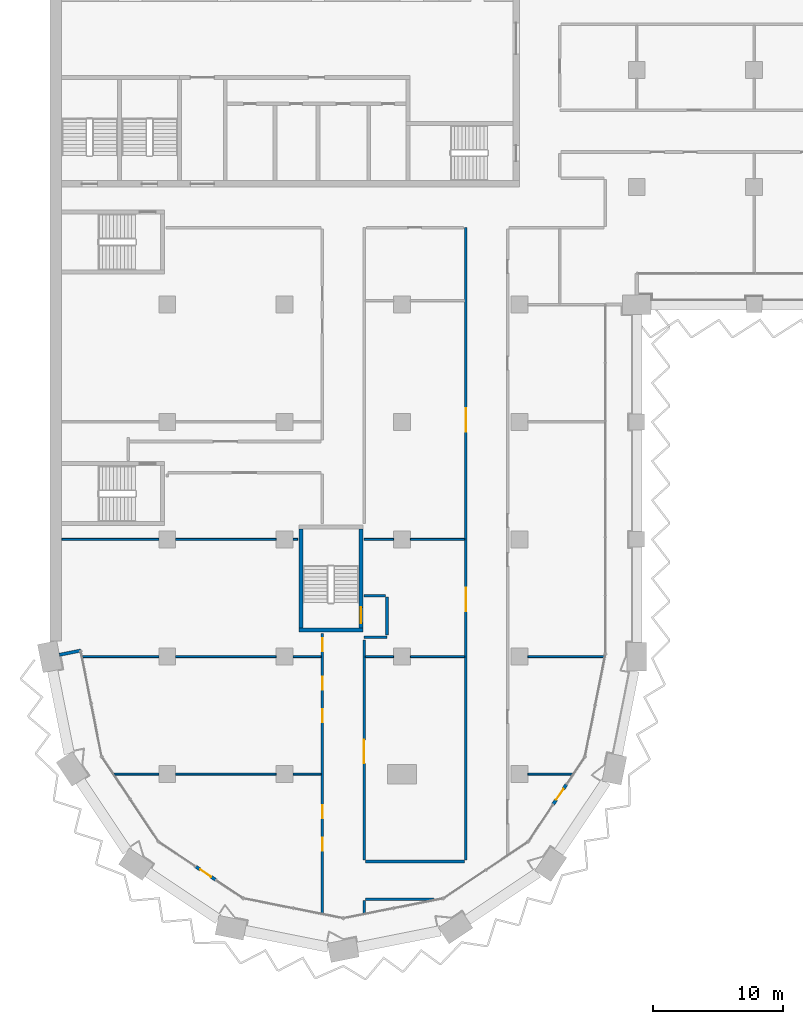
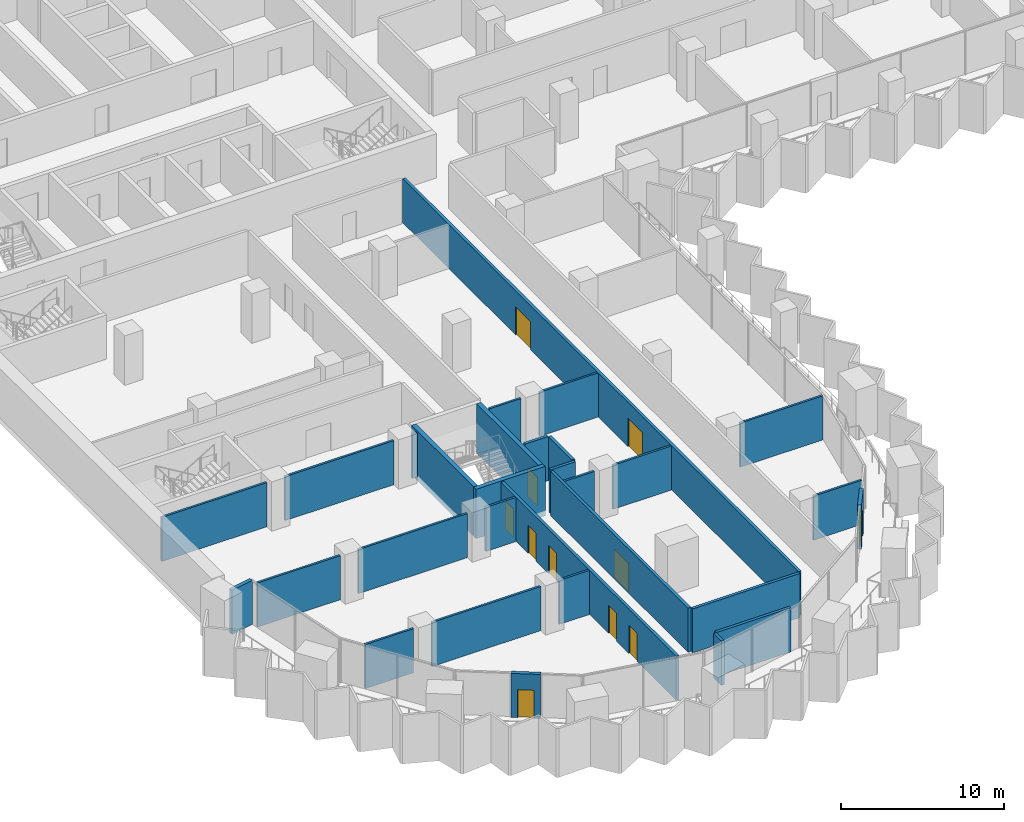
# One storey, part 9 of 23: 30 walls, 11 doors, 11 openings.
"""IFC4 building model written with IfcOpenShell, lengths in metres."""

from ifc_helpers import new_model, si_unit, direction, frame, frame_2d, origin, place, context, subcontext, project, spatial, rectangle, extrude, material, layer, layer_set, type_object, element, fill, save


model = new_model("IFC4")

# Units and contexts
model_context = context("Model", 3, precision=1e-05, world=origin(), true_north=direction((0.0, 1.0)))
body_context = subcontext(model_context, "Body", "Model", "MODEL_VIEW")
ifc_project = project(units=[si_unit("LENGTHUNIT", "METRE"), si_unit("AREAUNIT", "SQUARE_METRE"), si_unit("VOLUMEUNIT", "CUBIC_METRE"), si_unit("PLANEANGLEUNIT", "RADIAN"), si_unit("MASSUNIT", "GRAM", prefix="KILO")], contexts=[model_context])

# Site, building, storey
site_placement = place(None, origin())
site = spatial("IfcSite", under=ifc_project, at=site_placement, CompositionType="ELEMENT")
building_placement = place(site_placement, origin())
building = spatial("IfcBuilding", under=site, at=building_placement, Name="Hunhe Ridgeline Campus", CompositionType="ELEMENT")
storey_placement = place(building_placement, frame((0.0, 0.0, 95.89990234375)))
storey = spatial("IfcBuildingStorey", under=building, at=storey_placement, Name="L23", CompositionType="ELEMENT", Elevation=95.89990234375)

# Walls
ifc_material_1 = material(Name="Concrete C30", Category="concrete")
ifc_layer_1 = layer(ifc_material_1, 0.25)
ifc_layer_set_1 = layer_set([ifc_layer_1], Name="Corner return wall 250 Concrete C30")
wall_type_1 = type_object("IfcWallType", Name="Corner return wall 250 Concrete C30", PredefinedType="SOLIDWALL", material=ifc_layer_set_1)
wall_1_placement = place(storey_placement, frame((0.7353515625, 27.14697265625, 0.0), z_axis=(0.0, 0.0, 1.0), x_axis=(0.980824468215, 0.194893208067, 0.0)))
element("IfcWall", 1, at=wall_1_placement, inside=storey, type_object=wall_type_1, Name="Corner return wall 1", PredefinedType="SOLIDWALL", context=body_context, shape_type="SweptSolid", body=[
    extrude(rectangle(XDim=1.651123046875, YDim=0.25, at=frame_2d((0.82568359375, 0.0))), origin(), (0.0, 0.0, 1.0), 3.300048828125),
])
ifc_material_2 = material(Name="Gypsum board partition")
ifc_layer_2 = layer(ifc_material_2, 0.199951171875)
ifc_layer_set_2 = layer_set([ifc_layer_2], Name="Corridor partition 200 gypsum board on steel studs")
wall_type_2 = type_object("IfcWallType", Name="Corridor partition 200 gypsum board on steel studs", PredefinedType="PARTITIONING", material=ifc_layer_set_2)
wall_2_placement = place(storey_placement, frame((29.472412109375, 8.389892578125, 0.0), z_axis=(0.0, 0.0, 1.0), x_axis=(-1.0, 0.0, 0.0)))
element("IfcWall", 2, at=wall_2_placement, inside=storey, type_object=wall_type_2, Name="F-L23-wall-001", PredefinedType="PARTITIONING", context=body_context, shape_type="SweptSolid", body=[
    extrude(rectangle(XDim=5.2724609375, YDim=0.199951171875, at=frame_2d((2.63623046875, 0.0))), origin(), (0.0, 0.0, 1.0), 3.300048828125),
])
wall_3_placement = place(storey_placement, frame((24.199951171875, 11.299072265625, 0.0), z_axis=(0.0, 0.0, 1.0), x_axis=(1.0, 0.0, 0.0)))
element("IfcWall", 3, at=wall_3_placement, inside=storey, type_object=wall_type_2, Name="F-L23-wall-002", PredefinedType="PARTITIONING", context=body_context, shape_type="SweptSolid", body=[
    extrude(rectangle(XDim=7.60009765625, YDim=0.199951171875, at=frame_2d((3.800048828125, 0.0))), origin(), (0.0, 0.0, 1.0), 3.300048828125),
])
wall_4_placement = place(storey_placement, frame((25.85009765625, 28.5, 0.0), z_axis=(0.0, 0.0, 1.0), x_axis=(-1.0, 0.0, 0.0)))
element("IfcWall", 4, at=wall_4_placement, inside=storey, type_object=wall_type_2, Name="F-L23-wall-013", PredefinedType="PARTITIONING", context=body_context, shape_type="SweptSolid", body=[
    extrude(rectangle(XDim=1.75, YDim=0.199951171875, at=frame_2d((0.875, 0.0))), origin(), (0.0, 0.0, 1.0), 3.300048828125),
])
wall_5_placement = place(storey_placement, frame((24.10400390625, 31.675048828125, 0.0), z_axis=(0.0, 0.0, 1.0), x_axis=(1.0, 0.0, 0.0)))
element("IfcWall", 5, at=wall_5_placement, inside=storey, type_object=wall_type_2, Name="F-L23-wall-014", PredefinedType="PARTITIONING", context=body_context, shape_type="SweptSolid", body=[
    extrude(rectangle(XDim=1.64599609375, YDim=0.199951171875, at=frame_2d((0.822998046875, 0.0))), origin(), (0.0, 0.0, 1.0), 3.300048828125),
])

# Wall, openings, doors
wall_6_placement = place(storey_placement, frame((20.89990234375, 7.3212890625, 0.0), z_axis=(0.0, 0.0, 1.0), x_axis=(0.0, 1.0, 0.0)))
wall_6 = element("IfcWall", 6, at=wall_6_placement, inside=storey, type_object=wall_type_2, Name="F-L23-wall-042", PredefinedType="PARTITIONING", context=body_context, shape_type="SweptSolid", body=[
    extrude(rectangle(XDim=21.474609375, YDim=0.199951171875, at=frame_2d((10.7373046875, 0.0))), origin(), (0.0, 0.0, 1.0), 3.300048828125),
])
opening_1_placement = place(wall_6_placement, frame((4.805419921875, 0.0, 0.0)))
opening_1 = element("IfcOpeningElement", 7, at=opening_1_placement, cuts=wall_6, Name="Opening RD1-001", PredefinedType="OPENING", context=body_context, shape_type="SweptSolid", body=[
    extrude(rectangle(XDim=1.0, YDim=2.10009765625, at=frame_2d((0.5, 1.050048828125))), frame((0.0, 0.10009765625, 0.0), z_axis=(0.0, -1.0, 0.0), x_axis=(1.0, 0.0, 0.0)), (0.0, 0.0, 1.0), 0.199951171875),
])
opening_2_placement = place(wall_6_placement, frame((7.305419921875, 0.0, 0.0)))
opening_2 = element("IfcOpeningElement", 8, at=opening_2_placement, cuts=wall_6, Name="Opening RD1-002", PredefinedType="OPENING", context=body_context, shape_type="SweptSolid", body=[
    extrude(rectangle(XDim=1.0, YDim=2.10009765625, at=frame_2d((0.5, 1.050048828125))), frame((0.0, 0.10009765625, 0.0), z_axis=(0.0, -1.0, 0.0), x_axis=(1.0, 0.0, 0.0)), (0.0, 0.0, 1.0), 0.199951171875),
])
opening_3_placement = place(wall_6_placement, frame((14.65869140625, 0.0, 0.0)))
opening_3 = element("IfcOpeningElement", 9, at=opening_3_placement, cuts=wall_6, Name="Opening RD1-006", PredefinedType="OPENING", context=body_context, shape_type="SweptSolid", body=[
    extrude(rectangle(XDim=1.0, YDim=2.10009765625, at=frame_2d((0.5, 1.050048828125))), frame((0.0, 0.10009765625, 0.0), z_axis=(0.0, -1.0, 0.0), x_axis=(1.0, 0.0, 0.0)), (0.0, 0.0, 1.0), 0.199951171875),
])
opening_4_placement = place(wall_6_placement, frame((17.15869140625, 0.0, 0.0)))
opening_4 = element("IfcOpeningElement", 10, at=opening_4_placement, cuts=wall_6, Name="Opening RD1-007", PredefinedType="OPENING", context=body_context, shape_type="SweptSolid", body=[
    extrude(rectangle(XDim=1.0, YDim=2.10009765625, at=frame_2d((0.5, 1.050048828125))), frame((0.0, 0.10009765625, 0.0), z_axis=(0.0, -1.0, 0.0), x_axis=(1.0, 0.0, 0.0)), (0.0, 0.0, 1.0), 0.199951171875),
])
opening_5_placement = place(wall_6_placement, frame((20.09033203125, 0.0, 0.0)))
opening_5 = element("IfcOpeningElement", 11, at=opening_5_placement, cuts=wall_6, Name="Opening RD1-008", PredefinedType="OPENING", context=body_context, shape_type="SweptSolid", body=[
    extrude(rectangle(XDim=1.0, YDim=2.10009765625, at=frame_2d((0.5, 1.050048828125))), frame((0.0, 0.10009765625, 0.0), z_axis=(0.0, -1.0, 0.0), x_axis=(1.0, 0.0, 0.0)), (0.0, 0.0, 1.0), 0.199951171875),
])
ifc_material_3 = material(Name="Timber door leaf", Category="wood")
door_type_1 = type_object("IfcDoorType", Name="Single fire door 1000x2100 timber FD60", OperationType="NOTDEFINED", PredefinedType="DOOR", material=ifc_material_3)
door_1_placement = place(opening_1_placement, frame((1.0, 0.0, 0.0), z_axis=(0.0, 0.0, 1.0), x_axis=(-1.0, 0.0, 0.0)))
door_1 = element("IfcDoor", 12, at=door_1_placement, inside=storey, type_object=door_type_1, Name="F-L23-door-001", OperationType="SINGLE_SWING_LEFT", OverallHeight=2.10009765625, OverallWidth=1.0, PredefinedType="DOOR", context=body_context, shape_type="SweptSolid", body=[
    extrude(rectangle(XDim=1.0, YDim=2.10009765625, at=frame_2d((0.5, 1.050048828125))), frame((0.0, 0.02490234375, 0.0), z_axis=(0.0, -1.0, 0.0), x_axis=(1.0, 0.0, 0.0)), (0.0, 0.0, 1.0), 0.050048828125),
])
fill(opening_1, door_1)
door_2_placement = place(opening_2_placement, frame((1.0, 0.0, 0.0), z_axis=(0.0, 0.0, 1.0), x_axis=(-1.0, 0.0, 0.0)))
door_2 = element("IfcDoor", 13, at=door_2_placement, inside=storey, type_object=door_type_1, Name="F-L23-door-002", OperationType="SINGLE_SWING_LEFT", OverallHeight=2.10009765625, OverallWidth=1.0, PredefinedType="DOOR", context=body_context, shape_type="SweptSolid", body=[
    extrude(rectangle(XDim=1.0, YDim=2.10009765625, at=frame_2d((0.5, 1.050048828125))), frame((0.0, 0.02490234375, 0.0), z_axis=(0.0, -1.0, 0.0), x_axis=(1.0, 0.0, 0.0)), (0.0, 0.0, 1.0), 0.050048828125),
])
fill(opening_2, door_2)
door_3_placement = place(opening_3_placement, frame((1.0, 0.0, 0.0), z_axis=(0.0, 0.0, 1.0), x_axis=(-1.0, 0.0, 0.0)))
door_3 = element("IfcDoor", 14, at=door_3_placement, inside=storey, type_object=door_type_1, Name="F-L23-door-006", OperationType="SINGLE_SWING_LEFT", OverallHeight=2.10009765625, OverallWidth=1.0, PredefinedType="DOOR", context=body_context, shape_type="SweptSolid", body=[
    extrude(rectangle(XDim=1.0, YDim=2.10009765625, at=frame_2d((0.5, 1.050048828125))), frame((0.0, 0.02490234375, 0.0), z_axis=(0.0, -1.0, 0.0), x_axis=(1.0, 0.0, 0.0)), (0.0, 0.0, 1.0), 0.050048828125),
])
fill(opening_3, door_3)
door_4_placement = place(opening_4_placement, frame((1.0, 0.0, 0.0), z_axis=(0.0, 0.0, 1.0), x_axis=(-1.0, 0.0, 0.0)))
door_4 = element("IfcDoor", 15, at=door_4_placement, inside=storey, type_object=door_type_1, Name="F-L23-door-007", OperationType="SINGLE_SWING_LEFT", OverallHeight=2.10009765625, OverallWidth=1.0, PredefinedType="DOOR", context=body_context, shape_type="SweptSolid", body=[
    extrude(rectangle(XDim=1.0, YDim=2.10009765625, at=frame_2d((0.5, 1.050048828125))), frame((0.0, 0.02490234375, 0.0), z_axis=(0.0, -1.0, 0.0), x_axis=(1.0, 0.0, 0.0)), (0.0, 0.0, 1.0), 0.050048828125),
])
fill(opening_4, door_4)
door_5_placement = place(opening_5_placement, frame((1.0, 0.0, 0.0), z_axis=(0.0, 0.0, 1.0), x_axis=(-1.0, 0.0, 0.0)))
door_5 = element("IfcDoor", 16, at=door_5_placement, inside=storey, type_object=door_type_1, Name="F-L23-door-008", OperationType="SINGLE_SWING_LEFT", OverallHeight=2.10009765625, OverallWidth=1.0, PredefinedType="DOOR", context=body_context, shape_type="SweptSolid", body=[
    extrude(rectangle(XDim=1.0, YDim=2.10009765625, at=frame_2d((0.5, 1.050048828125))), frame((0.0, 0.02490234375, 0.0), z_axis=(0.0, -1.0, 0.0), x_axis=(1.0, 0.0, 0.0)), (0.0, 0.0, 1.0), 0.050048828125),
])
fill(opening_5, door_5)

# Wall
wall_7_placement = place(storey_placement, frame((24.10009765625, 8.2900390625, 0.0), z_axis=(0.0, 0.0, 1.0), x_axis=(0.0, -1.0, 0.0)))
element("IfcWall", 17, at=wall_7_placement, inside=storey, type_object=wall_type_2, Name="F-L23-wall-045", PredefinedType="PARTITIONING", context=body_context, shape_type="SweptSolid", body=[
    extrude(rectangle(XDim=0.96875, YDim=0.199951171875, at=frame_2d((0.484375, 0.0))), origin(), (0.0, 0.0, 1.0), 3.300048828125),
])

# Wall, opening, door
wall_8_placement = place(storey_placement, frame((24.10009765625, 28.296630859375, 0.0), z_axis=(0.0, 0.0, 1.0), x_axis=(0.0, -1.0, 0.0)))
wall_8 = element("IfcWall", 18, at=wall_8_placement, inside=storey, type_object=wall_type_2, Name="F-L23-wall-046", PredefinedType="PARTITIONING", context=body_context, shape_type="SweptSolid", body=[
    extrude(rectangle(XDim=16.897705078125, YDim=0.199951171875, at=frame_2d((8.44873046875, 0.0))), origin(), (0.0, 0.0, 1.0), 3.300048828125),
])
opening_6_placement = place(wall_8_placement, frame((7.67919921875, 0.0, 0.0)))
opening_6 = element("IfcOpeningElement", 19, at=opening_6_placement, cuts=wall_8, Name="Opening RD2-004", PredefinedType="OPENING", context=body_context, shape_type="SweptSolid", body=[
    extrude(rectangle(XDim=1.800048828125, YDim=2.10009765625, at=frame_2d((0.89990234375, 1.050048828125))), frame((0.0, 0.10009765625, 0.0), z_axis=(0.0, -1.0, 0.0), x_axis=(1.0, 0.0, 0.0)), (0.0, 0.0, 1.0), 0.199951171875),
])
door_type_2 = type_object("IfcDoorType", Name="Double fire door 1800x2100 timber FD60", OperationType="DOUBLE_DOOR_SINGLE_SWING", PredefinedType="DOOR", material=ifc_material_3)
door_6_placement = place(opening_6_placement, origin())
door_6 = element("IfcDoor", 20, at=door_6_placement, inside=storey, type_object=door_type_2, Name="F-L23-door-004", OperationType="DOUBLE_DOOR_SINGLE_SWING", OverallHeight=2.10009765625, OverallWidth=1.800048828125, PredefinedType="DOOR", context=body_context, shape_type="SweptSolid", body=[
    extrude(rectangle(XDim=1.800048828125, YDim=2.10009765625, at=frame_2d((0.89990234375, 1.050048828125))), frame((0.0, 0.02490234375, 0.0), z_axis=(0.0, -1.0, 0.0), x_axis=(1.0, 0.0, 0.0)), (0.0, 0.0, 1.0), 0.050048828125),
])
fill(opening_6, door_6)

# Wall
wall_9_placement = place(storey_placement, frame((25.85009765625, 31.574951171875, 0.0), z_axis=(0.0, 0.0, 1.0), x_axis=(0.0, -1.0, 0.0)))
element("IfcWall", 21, at=wall_9_placement, inside=storey, type_object=wall_type_2, Name="F-L23-wall-048", PredefinedType="PARTITIONING", context=body_context, shape_type="SweptSolid", body=[
    extrude(rectangle(XDim=2.89990234375, YDim=0.199951171875, at=frame_2d((1.449951171875, 0.0))), origin(), (0.0, 0.0, 1.0), 3.300048828125),
])

# Wall, openings, doors
wall_10_placement = place(storey_placement, frame((31.89990234375, 11.39892578125, 0.0), z_axis=(0.0, 0.0, 1.0), x_axis=(0.0, 1.0, 0.0)))
wall_10 = element("IfcWall", 22, at=wall_10_placement, inside=storey, type_object=wall_type_2, Name="F-L23-wall-049", PredefinedType="PARTITIONING", context=body_context, shape_type="SweptSolid", body=[
    extrude(rectangle(XDim=48.5009765625, YDim=0.199951171875, at=frame_2d((24.25048828125, 0.0))), origin(), (0.0, 0.0, 1.0), 3.300048828125),
])
opening_7_placement = place(wall_10_placement, frame((19.100341796875, 0.0, 0.0)))
opening_7 = element("IfcOpeningElement", 23, at=opening_7_placement, cuts=wall_10, Name="Opening RD2-009", PredefinedType="OPENING", context=body_context, shape_type="SweptSolid", body=[
    extrude(rectangle(XDim=1.800048828125, YDim=2.10009765625, at=frame_2d((0.89990234375, 1.050048828125))), frame((0.0, 0.10009765625, 0.0), z_axis=(0.0, -1.0, 0.0), x_axis=(1.0, 0.0, 0.0)), (0.0, 0.0, 1.0), 0.199951171875),
])
opening_8_placement = place(wall_10_placement, frame((32.8505859375, 0.0, 0.0)))
opening_8 = element("IfcOpeningElement", 24, at=opening_8_placement, cuts=wall_10, Name="Opening RD2-014", PredefinedType="OPENING", context=body_context, shape_type="SweptSolid", body=[
    extrude(rectangle(XDim=1.800048828125, YDim=2.10009765625, at=frame_2d((0.89990234375, 1.050048828125))), frame((0.0, 0.10009765625, 0.0), z_axis=(0.0, -1.0, 0.0), x_axis=(1.0, 0.0, 0.0)), (0.0, 0.0, 1.0), 0.199951171875),
])
door_7_placement = place(opening_7_placement, origin())
door_7 = element("IfcDoor", 25, at=door_7_placement, inside=storey, type_object=door_type_2, Name="F-L23-door-009", OperationType="DOUBLE_DOOR_SINGLE_SWING", OverallHeight=2.10009765625, OverallWidth=1.800048828125, PredefinedType="DOOR", context=body_context, shape_type="SweptSolid", body=[
    extrude(rectangle(XDim=1.800048828125, YDim=2.10009765625, at=frame_2d((0.89990234375, 1.050048828125))), frame((0.0, 0.02490234375, 0.0), z_axis=(0.0, -1.0, 0.0), x_axis=(1.0, 0.0, 0.0)), (0.0, 0.0, 1.0), 0.050048828125),
])
fill(opening_7, door_7)
door_8_placement = place(opening_8_placement, origin())
door_8 = element("IfcDoor", 26, at=door_8_placement, inside=storey, type_object=door_type_2, Name="F-L23-door-014", OperationType="DOUBLE_DOOR_SINGLE_SWING", OverallHeight=2.10009765625, OverallWidth=1.800048828125, PredefinedType="DOOR", context=body_context, shape_type="SweptSolid", body=[
    extrude(rectangle(XDim=1.800048828125, YDim=2.10009765625, at=frame_2d((0.89990234375, 1.050048828125))), frame((0.0, 0.02490234375, 0.0), z_axis=(0.0, -1.0, 0.0), x_axis=(1.0, 0.0, 0.0)), (0.0, 0.0, 1.0), 0.050048828125),
])
fill(opening_8, door_8)

# Wall, opening, door
ifc_layer_3 = layer(ifc_material_1, 0.25)
ifc_layer_set_3 = layer_set([ifc_layer_3], Name="Loggia door pier wall 250 Concrete C30")
wall_type_3 = type_object("IfcWallType", Name="Loggia door pier wall 250 Concrete C30", PredefinedType="SOLIDWALL", material=ifc_layer_set_3)
wall_11_placement = place(storey_placement, frame((11.19970703125, 10.897705078125, 0.0), z_axis=(0.0, 0.0, 1.0), x_axis=(0.83146554274, -0.555576323502, 0.0)))
wall_11 = element("IfcWall", 27, at=wall_11_placement, inside=storey, type_object=wall_type_3, Name="Loggia door pier 1", PredefinedType="SOLIDWALL", context=body_context, shape_type="SweptSolid", body=[
    extrude(rectangle(XDim=1.800048828125, YDim=0.25, at=frame_2d((0.89990234375, 0.0))), origin(), (0.0, 0.0, 1.0), 3.300048828125),
])
opening_9_placement = place(wall_11_placement, frame((0.39990234375, 0.0, 0.0)))
opening_9 = element("IfcOpeningElement", 28, at=opening_9_placement, cuts=wall_11, Name="Opening BD202", PredefinedType="OPENING", context=body_context, shape_type="SweptSolid", body=[
    extrude(rectangle(XDim=1.0, YDim=2.10009765625, at=frame_2d((0.5, 1.050048828125))), frame((0.0, 0.125, 0.0), z_axis=(0.0, -1.0, 0.0), x_axis=(1.0, 0.0, 0.0)), (0.0, 0.0, 1.0), 0.25),
])
ifc_material_4 = material(Name="Aluminium 6063", Category="aluminium")
door_type_3 = type_object("IfcDoorType", Name="Loggia glazed door 1000x2100", OperationType="NOTDEFINED", PredefinedType="DOOR", material=ifc_material_4)
door_9_placement = place(opening_9_placement, frame((1.0, 0.0, 0.0), z_axis=(0.0, 0.0, 1.0), x_axis=(-1.0, 0.0, 0.0)))
door_9 = element("IfcDoor", 29, at=door_9_placement, inside=storey, type_object=door_type_3, Name="Loggia door BD202", OperationType="SINGLE_SWING_LEFT", OverallHeight=2.10009765625, OverallWidth=1.0, PredefinedType="DOOR", context=body_context, shape_type="SweptSolid", body=[
    extrude(rectangle(XDim=1.0, YDim=2.10009765625, at=frame_2d((0.5, 1.050048828125))), frame((0.0, 0.02490234375, 0.0), z_axis=(0.0, -1.0, 0.0), x_axis=(1.0, 0.0, 0.0)), (0.0, 0.0, 1.0), 0.050048828125),
])
fill(opening_9, door_9)

wall_12_placement = place(storey_placement, frame((38.602294921875, 15.69970703125, 0.0), z_axis=(0.0, 0.0, 1.0), x_axis=(0.555576323502, 0.83146554274, 0.0)))
wall_12 = element("IfcWall", 30, at=wall_12_placement, inside=storey, type_object=wall_type_3, Name="Loggia door pier 2", PredefinedType="SOLIDWALL", context=body_context, shape_type="SweptSolid", body=[
    extrude(rectangle(XDim=1.800048828125, YDim=0.25, at=frame_2d((0.89990234375, 0.0))), origin(), (0.0, 0.0, 1.0), 3.300048828125),
])
opening_10_placement = place(wall_12_placement, frame((0.39990234375, 0.0, 0.0)))
opening_10 = element("IfcOpeningElement", 31, at=opening_10_placement, cuts=wall_12, Name="Opening BD204", PredefinedType="OPENING", context=body_context, shape_type="SweptSolid", body=[
    extrude(rectangle(XDim=1.0, YDim=2.10009765625, at=frame_2d((0.5, 1.050048828125))), frame((0.0, 0.125, 0.0), z_axis=(0.0, -1.0, 0.0), x_axis=(1.0, 0.0, 0.0)), (0.0, 0.0, 1.0), 0.25),
])
door_10_placement = place(opening_10_placement, frame((1.0, 0.0, 0.0), z_axis=(0.0, 0.0, 1.0), x_axis=(-1.0, 0.0, 0.0)))
door_10 = element("IfcDoor", 32, at=door_10_placement, inside=storey, type_object=door_type_3, Name="Loggia door BD204", OperationType="SINGLE_SWING_LEFT", OverallHeight=2.10009765625, OverallWidth=1.0, PredefinedType="DOOR", context=body_context, shape_type="SweptSolid", body=[
    extrude(rectangle(XDim=1.0, YDim=2.10009765625, at=frame_2d((0.5, 1.050048828125))), frame((0.0, 0.02490234375, 0.0), z_axis=(0.0, -1.0, 0.0), x_axis=(1.0, 0.0, 0.0)), (0.0, 0.0, 1.0), 0.050048828125),
])
fill(opening_10, door_10)

# Walls
ifc_layer_4 = layer(ifc_material_2, 0.14990234375)
ifc_layer_set_4 = layer_set([ifc_layer_4], Name="Room partition 150 gypsum board on steel studs")
wall_type_4 = type_object("IfcWallType", Name="Room partition 150 gypsum board on steel studs", PredefinedType="PARTITIONING", material=ifc_layer_set_4)
wall_13_placement = place(storey_placement, frame((4.925537109375, 18.0, 0.0), z_axis=(0.0, 0.0, 1.0), x_axis=(1.0, 0.0, 0.0)))
element("IfcWall", 33, at=wall_13_placement, inside=storey, type_object=wall_type_4, Name="F-L23-wall-003", PredefinedType="PARTITIONING", context=body_context, shape_type="SweptSolid", body=[
    extrude(rectangle(XDim=3.424560546875, YDim=0.14990234375, at=frame_2d((1.71240234375, 0.0))), origin(), (0.0, 0.0, 1.0), 3.300048828125),
])
wall_14_placement = place(storey_placement, frame((9.64990234375, 18.0, 0.0), z_axis=(0.0, 0.0, 1.0), x_axis=(1.0, 0.0, 0.0)))
element("IfcWall", 34, at=wall_14_placement, inside=storey, type_object=wall_type_4, Name="F-L23-wall-004", PredefinedType="PARTITIONING", context=body_context, shape_type="SweptSolid", body=[
    extrude(rectangle(XDim=7.7001953125, YDim=0.14990234375, at=frame_2d((3.85009765625, 0.0))), origin(), (0.0, 0.0, 1.0), 3.300048828125),
])
wall_15_placement = place(storey_placement, frame((18.64990234375, 18.0, 0.0), z_axis=(0.0, 0.0, 1.0), x_axis=(1.0, 0.0, 0.0)))
element("IfcWall", 35, at=wall_15_placement, inside=storey, type_object=wall_type_4, Name="F-L23-wall-005", PredefinedType="PARTITIONING", context=body_context, shape_type="SweptSolid", body=[
    extrude(rectangle(XDim=2.150146484375, YDim=0.14990234375, at=frame_2d((1.0751953125, 0.0))), origin(), (0.0, 0.0, 1.0), 3.300048828125),
])
wall_16_placement = place(storey_placement, frame((36.64990234375, 18.0, 0.0), z_axis=(0.0, 0.0, 1.0), x_axis=(1.0, 0.0, 0.0)))
element("IfcWall", 36, at=wall_16_placement, inside=storey, type_object=wall_type_4, Name="F-L23-wall-006", PredefinedType="PARTITIONING", context=body_context, shape_type="SweptSolid", body=[
    extrude(rectangle(XDim=3.424560546875, YDim=0.14990234375, at=frame_2d((1.71240234375, 0.0))), origin(), (0.0, 0.0, 1.0), 3.300048828125),
])
wall_17_placement = place(storey_placement, frame((2.503173828125, 27.0, 0.0), z_axis=(0.0, 0.0, 1.0), x_axis=(1.0, 0.0, 0.0)))
element("IfcWall", 37, at=wall_17_placement, inside=storey, type_object=wall_type_4, Name="F-L23-wall-007", PredefinedType="PARTITIONING", context=body_context, shape_type="SweptSolid", body=[
    extrude(rectangle(XDim=5.846923828125, YDim=0.14990234375, at=frame_2d((2.92333984375, 0.0))), origin(), (0.0, 0.0, 1.0), 3.300048828125),
])
wall_18_placement = place(storey_placement, frame((9.64990234375, 27.0, 0.0), z_axis=(0.0, 0.0, 1.0), x_axis=(1.0, 0.0, 0.0)))
element("IfcWall", 38, at=wall_18_placement, inside=storey, type_object=wall_type_4, Name="F-L23-wall-008", PredefinedType="PARTITIONING", context=body_context, shape_type="SweptSolid", body=[
    extrude(rectangle(XDim=7.7001953125, YDim=0.14990234375, at=frame_2d((3.85009765625, 0.0))), origin(), (0.0, 0.0, 1.0), 3.300048828125),
])
for number, where, z_axis, x_axis, name in (
    (39, (18.64990234375, 27.0, 0.0), (0.0, 0.0, 1.0), (1.0, 0.0, 0.0), "F-L23-wall-009"),
    (40, (24.199951171875, 27.0, 0.0), (0.0, 0.0, 1.0), (1.0, 0.0, 0.0), "F-L23-wall-010"),
):
    element("IfcWall", number, at=place(storey_placement, frame(where, z_axis=z_axis, x_axis=x_axis)), inside=storey, type_object=wall_type_4, Name=name, PredefinedType="PARTITIONING", context=body_context, shape_type="SweptSolid", body=[
        extrude(rectangle(XDim=2.150146484375, YDim=0.14990234375, at=frame_2d((1.0751953125, 0.0))), origin(), (0.0, 0.0, 1.0), 3.300048828125),
    ])
wall_19_placement = place(storey_placement, frame((27.64990234375, 27.0, 0.0), z_axis=(0.0, 0.0, 1.0), x_axis=(1.0, 0.0, 0.0)))
element("IfcWall", 41, at=wall_19_placement, inside=storey, type_object=wall_type_4, Name="F-L23-wall-011", PredefinedType="PARTITIONING", context=body_context, shape_type="SweptSolid", body=[
    extrude(rectangle(XDim=4.150146484375, YDim=0.14990234375, at=frame_2d((2.0751953125, 0.0))), origin(), (0.0, 0.0, 1.0), 3.300048828125),
])
wall_20_placement = place(storey_placement, frame((36.64990234375, 27.0, 0.0), z_axis=(0.0, 0.0, 1.0), x_axis=(1.0, 0.0, 0.0)))
element("IfcWall", 42, at=wall_20_placement, inside=storey, type_object=wall_type_4, Name="F-L23-wall-012", PredefinedType="PARTITIONING", context=body_context, shape_type="SweptSolid", body=[
    extrude(rectangle(XDim=5.846923828125, YDim=0.14990234375, at=frame_2d((2.92333984375, 0.0))), origin(), (0.0, 0.0, 1.0), 3.300048828125),
])
wall_21_placement = place(storey_placement, frame((0.919921875, 36.0, 0.0), z_axis=(0.0, 0.0, 1.0), x_axis=(1.0, 0.0, 0.0)))
element("IfcWall", 43, at=wall_21_placement, inside=storey, type_object=wall_type_4, Name="F-L23-wall-015", PredefinedType="PARTITIONING", context=body_context, shape_type="SweptSolid", body=[
    extrude(rectangle(XDim=7.43017578125, YDim=0.14990234375, at=frame_2d((3.715087890625, 0.0))), origin(), (0.0, 0.0, 1.0), 3.300048828125),
])
wall_22_placement = place(storey_placement, frame((9.64990234375, 36.0, 0.0), z_axis=(0.0, 0.0, 1.0), x_axis=(1.0, 0.0, 0.0)))
element("IfcWall", 44, at=wall_22_placement, inside=storey, type_object=wall_type_4, Name="F-L23-wall-016", PredefinedType="PARTITIONING", context=body_context, shape_type="SweptSolid", body=[
    extrude(rectangle(XDim=7.7001953125, YDim=0.14990234375, at=frame_2d((3.85009765625, 0.0))), origin(), (0.0, 0.0, 1.0), 3.300048828125),
])
wall_23_placement = place(storey_placement, frame((18.64990234375, 36.0, 0.0), z_axis=(0.0, 0.0, 1.0), x_axis=(1.0, 0.0, 0.0)))
element("IfcWall", 45, at=wall_23_placement, inside=storey, type_object=wall_type_4, Name="F-L23-wall-017", PredefinedType="PARTITIONING", context=body_context, shape_type="SweptSolid", body=[
    extrude(rectangle(XDim=0.34619140625, YDim=0.14990234375, at=frame_2d((0.173095703125, 0.0))), origin(), (0.0, 0.0, 1.0), 3.300048828125),
])
wall_24_placement = place(storey_placement, frame((24.10400390625, 36.0, 0.0), z_axis=(0.0, 0.0, 1.0), x_axis=(1.0, 0.0, 0.0)))
element("IfcWall", 46, at=wall_24_placement, inside=storey, type_object=wall_type_4, Name="F-L23-wall-018", PredefinedType="PARTITIONING", context=body_context, shape_type="SweptSolid", body=[
    extrude(rectangle(XDim=2.24609375, YDim=0.14990234375, at=frame_2d((1.123046875, 0.0))), origin(), (0.0, 0.0, 1.0), 3.300048828125),
])
wall_25_placement = place(storey_placement, frame((27.64990234375, 36.0, 0.0), z_axis=(0.0, 0.0, 1.0), x_axis=(1.0, 0.0, 0.0)))
element("IfcWall", 47, at=wall_25_placement, inside=storey, type_object=wall_type_4, Name="F-L23-wall-019", PredefinedType="PARTITIONING", context=body_context, shape_type="SweptSolid", body=[
    extrude(rectangle(XDim=4.150146484375, YDim=0.14990234375, at=frame_2d((2.0751953125, 0.0))), origin(), (0.0, 0.0, 1.0), 3.300048828125),
])
ifc_material_5 = material(Name="Concrete C80", Category="concrete")
ifc_layer_5 = layer(ifc_material_5, 0.300048828125)
ifc_layer_set_5 = layer_set([ifc_layer_5], Name="Stair wall 300 reinforced concrete C80")
wall_type_5 = type_object("IfcWallType", Name="Stair wall 300 reinforced concrete C80", PredefinedType="SOLIDWALL", material=ifc_layer_set_5)
wall_26_placement = place(storey_placement, frame((19.10009765625, 29.050048828125, -0.39990234375), z_axis=(0.0, 0.0, 1.0), x_axis=(1.0, 0.0, 0.0)))
element("IfcWall", 48, at=wall_26_placement, inside=storey, type_object=wall_type_5, Name="L23 core wall 1", PredefinedType="SOLIDWALL", context=body_context, shape_type="SweptSolid", body=[
    extrude(rectangle(XDim=4.89990234375, YDim=0.300048828125, at=frame_2d((2.449951171875, 0.0))), origin(), (0.0, 0.0, 1.0), 3.699951171875),
])
wall_27_placement = place(storey_placement, frame((19.25, 29.199951171875, -0.39990234375), z_axis=(0.0, 0.0, 1.0), x_axis=(0.0, 1.0, 0.0)))
element("IfcWall", 49, at=wall_27_placement, inside=storey, type_object=wall_type_5, Name="L23 core wall 47", PredefinedType="SOLIDWALL", context=body_context, shape_type="SweptSolid", body=[
    extrude(rectangle(XDim=7.60009765625, YDim=0.300048828125, at=frame_2d((3.800048828125, 0.0))), origin(), (0.0, 0.0, 1.0), 3.699951171875),
])

# Wall, opening, door
wall_28_placement = place(storey_placement, frame((23.85009765625, 29.199951171875, -0.39990234375), z_axis=(0.0, 0.0, 1.0), x_axis=(0.0, 1.0, 0.0)))
wall_28 = element("IfcWall", 50, at=wall_28_placement, inside=storey, type_object=wall_type_5, Name="L23 core wall 52", PredefinedType="SOLIDWALL", context=body_context, shape_type="SweptSolid", body=[
    extrude(rectangle(XDim=7.60009765625, YDim=0.300048828125, at=frame_2d((3.800048828125, 0.0))), origin(), (0.0, 0.0, 1.0), 3.699951171875),
])
opening_11_placement = place(wall_28_placement, frame((0.375, 0.0, 0.39990234375)))
opening_11 = element("IfcOpeningElement", 51, at=opening_11_placement, cuts=wall_28, Name="Opening CD23", PredefinedType="OPENING", context=body_context, shape_type="SweptSolid", body=[
    extrude(rectangle(XDim=1.199951171875, YDim=2.10009765625, at=frame_2d((0.60009765625, 1.050048828125))), frame((0.0, 0.14990234375, 0.0), z_axis=(0.0, -1.0, 0.0), x_axis=(1.0, 0.0, 0.0)), (0.0, 0.0, 1.0), 0.300048828125),
])
ifc_material_6 = material(Name="Hollow metal fire door leaf")
door_type_4 = type_object("IfcDoorType", Name="Stair door 1200x2100 FD60", OperationType="SINGLE_SWING_LEFT", PredefinedType="DOOR", material=ifc_material_6)
door_11_placement = place(opening_11_placement, frame((1.199951171875, 0.0, 0.0), z_axis=(0.0, 0.0, 1.0), x_axis=(-1.0, 0.0, 0.0)))
door_11 = element("IfcDoor", 52, at=door_11_placement, inside=storey, type_object=door_type_4, Name="L23 door W3", OperationType="SINGLE_SWING_LEFT", OverallHeight=2.10009765625, OverallWidth=1.199951171875, PredefinedType="DOOR", context=body_context, shape_type="SweptSolid", body=[
    extrude(rectangle(XDim=1.199951171875, YDim=2.10009765625, at=frame_2d((0.60009765625, 1.050048828125))), frame((0.0, 0.02490234375, 0.0), z_axis=(0.0, -1.0, 0.0), x_axis=(1.0, 0.0, 0.0)), (0.0, 0.0, 1.0), 0.050048828125),
])
fill(opening_11, door_11)

save(model, "model.ifc")
